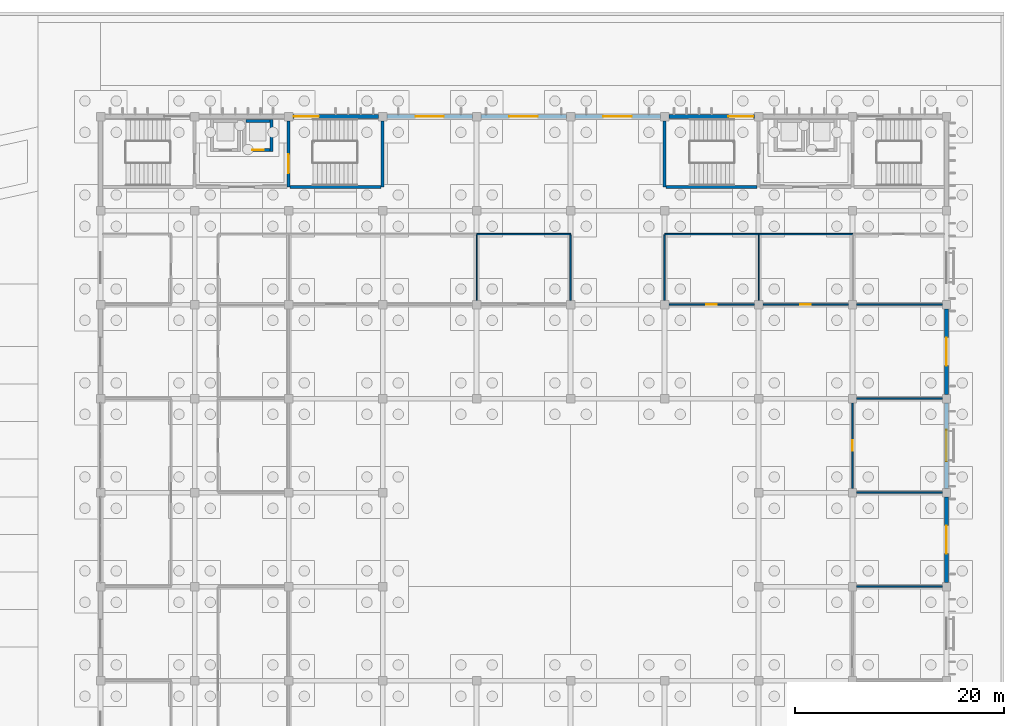
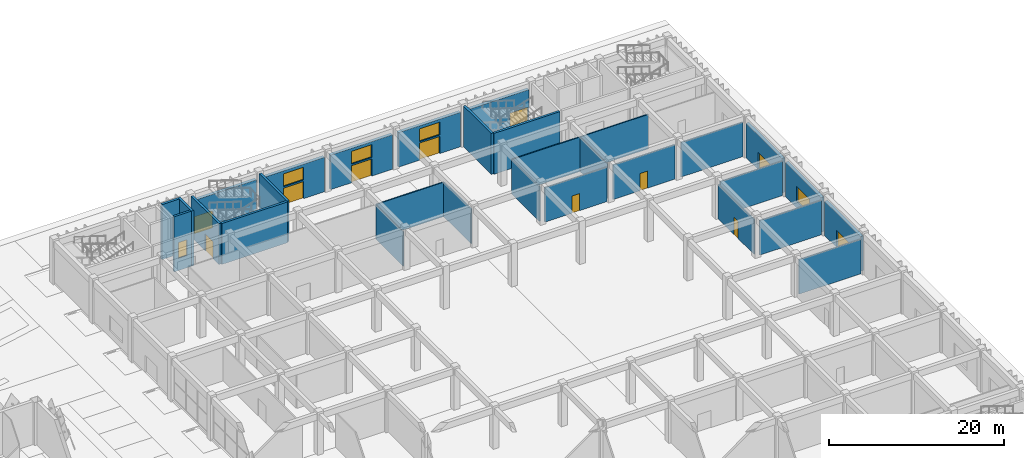
# One storey, part 106 of 198: 30 walls, 12 doors, 4 windows, 16 openings.
"""IFC4 building model written with IfcOpenShell, lengths in metres."""

from ifc_helpers import new_model, si_unit, direction, frame, frame_2d, origin, place, context, subcontext, project, spatial, rectangle, extrude, material, layer, layer_set, type_object, element, fill, save


model = new_model("IFC4")

# Units and contexts
model_context = context("Model", 3, precision=1e-05, world=origin(), true_north=direction((0.0, 1.0)))
body_context = subcontext(model_context, "Body", "Model", "MODEL_VIEW")
ifc_project = project(units=[si_unit("LENGTHUNIT", "METRE"), si_unit("AREAUNIT", "SQUARE_METRE"), si_unit("VOLUMEUNIT", "CUBIC_METRE"), si_unit("PLANEANGLEUNIT", "RADIAN"), si_unit("MASSUNIT", "GRAM", prefix="KILO")], contexts=[model_context])

# Site, building, storey
site_placement = place(None, origin())
site = spatial("IfcSite", under=ifc_project, at=site_placement, CompositionType="ELEMENT")
building_placement = place(site_placement, origin())
building = spatial("IfcBuilding", under=site, at=building_placement, Name="Opaline Strait Convention Centre", CompositionType="ELEMENT")
storey_placement = place(building_placement, origin())
storey = spatial("IfcBuildingStorey", under=building, at=storey_placement, Name="L00", CompositionType="ELEMENT", Elevation=0.0)

# Walls
ifc_material_1 = material(Name="Gypsum board")
ifc_layer_1 = layer(ifc_material_1, 0.032470703125)
ifc_material_2 = material(Name="Steel stud and mineral wool", Category="steel")
ifc_layer_2 = layer(ifc_material_2, 0.0849609375)
ifc_layer_3 = layer(ifc_material_1, 0.032470703125)
ifc_layer_set_1 = layer_set([ifc_layer_1, ifc_layer_2, ifc_layer_3], Name="Gypsum board, Steel stud and mineral wool, Gypsum board")
wall_type_1 = type_object("IfcWallType", Name="Corridor partition 150 EI60", PredefinedType="PARTITIONING", material=ifc_layer_set_1)
wall_1_placement = place(storey_placement, frame((315.0, 168.75, 0.0), z_axis=(0.0, 0.0, 1.0), x_axis=(1.0, 0.0, 0.0)))
element("IfcWall", 1, at=wall_1_placement, inside=storey, type_object=wall_type_1, Name="MPW1 partition Nursing Room 0.20 N", PredefinedType="PARTITIONING", context=body_context, shape_type="SweptSolid", body=[
    extrude(rectangle(XDim=9.0, YDim=0.14990234375, at=frame_2d((4.5, 0.0))), origin(), (0.0, 0.0, 1.0), 4.820068359375),
])
wall_2_placement = place(storey_placement, frame((324.0, 162.39990234375, 0.0), z_axis=(0.0, 0.0, 1.0), x_axis=(0.0, 1.0, 0.0)))
element("IfcWall", 2, at=wall_2_placement, inside=storey, type_object=wall_type_1, Name="MPW1 partition Nursing Room 0.20 E", PredefinedType="PARTITIONING", context=body_context, shape_type="SweptSolid", body=[
    extrude(rectangle(XDim=6.275146484375, YDim=0.14990234375, at=frame_2d((3.1376953125, 0.0))), origin(), (0.0, 0.0, 1.0), 4.820068359375),
])

# Wall, opening, door
wall_3_placement = place(storey_placement, frame((333.39990234375, 162.0, 0.0), z_axis=(0.0, 0.0, 1.0), x_axis=(1.0, 0.0, 0.0)))
wall_3 = element("IfcWall", 3, at=wall_3_placement, inside=storey, type_object=wall_type_1, Name="MPW1 partition Press Room 0.21 S", PredefinedType="PARTITIONING", context=body_context, shape_type="SweptSolid", body=[
    extrude(rectangle(XDim=8.2001953125, YDim=0.14990234375, at=frame_2d((4.10009765625, 0.0))), origin(), (0.0, 0.0, 1.0), 4.820068359375),
])
opening_1_placement = place(wall_3_placement, frame((3.60009765625, 0.0, 0.0)))
opening_1 = element("IfcOpeningElement", 4, at=opening_1_placement, cuts=wall_3, Name="Opening M0-055", PredefinedType="OPENING", context=body_context, shape_type="SweptSolid", body=[
    extrude(rectangle(XDim=1.0, YDim=2.39990234375, at=frame_2d((0.5, 1.199951171875))), frame((0.0, 0.0849609375, 0.0), z_axis=(0.0, -1.0, 0.0), x_axis=(1.0, 0.0, 0.0)), (0.0, 0.0, 1.0), 0.169921875),
])
ifc_material_3 = material(Name="Solid-core timber leaf, steel frame door set", Category="steel")
door_type_1 = type_object("IfcDoorType", Name="Meeting room door FD30 1000 x 2400", OperationType="SINGLE_SWING_LEFT", PredefinedType="DOOR", material=ifc_material_3)
door_1_placement = place(opening_1_placement, frame((1.0, 0.0, 0.0), z_axis=(0.0, 0.0, 1.0), x_axis=(-1.0, 0.0, 0.0)))
door_1 = element("IfcDoor", 5, at=door_1_placement, inside=storey, type_object=door_type_1, Name="Door Press Room 0.21", ObjectType="MD8", OperationType="SINGLE_SWING_LEFT", OverallHeight=2.39990234375, OverallWidth=1.0, PredefinedType="DOOR", context=body_context, shape_type="SweptSolid", body=[
    extrude(rectangle(XDim=1.0, YDim=2.39990234375, at=frame_2d((0.5, 1.199951171875))), frame((0.0, 0.02490234375, 0.0), z_axis=(0.0, -1.0, 0.0), x_axis=(1.0, 0.0, 0.0)), (0.0, 0.0, 1.0), 0.050048828125),
])
fill(opening_1, door_1)

# Walls
wall_4_placement = place(storey_placement, frame((333.0, 168.75, 0.0), z_axis=(0.0, 0.0, 1.0), x_axis=(1.0, 0.0, 0.0)))
element("IfcWall", 6, at=wall_4_placement, inside=storey, type_object=wall_type_1, Name="MPW1 partition Press Room 0.21 N", PredefinedType="PARTITIONING", context=body_context, shape_type="SweptSolid", body=[
    extrude(rectangle(XDim=9.0, YDim=0.14990234375, at=frame_2d((4.5, 0.0))), origin(), (0.0, 0.0, 1.0), 4.820068359375),
])
wall_5_placement = place(storey_placement, frame((333.0, 162.39990234375, 0.0), z_axis=(0.0, 0.0, 1.0), x_axis=(0.0, 1.0, 0.0)))
element("IfcWall", 7, at=wall_5_placement, inside=storey, type_object=wall_type_1, Name="MPW1 partition Press Room 0.21 W", PredefinedType="PARTITIONING", context=body_context, shape_type="SweptSolid", body=[
    extrude(rectangle(XDim=6.275146484375, YDim=0.14990234375, at=frame_2d((3.1376953125, 0.0))), origin(), (0.0, 0.0, 1.0), 4.820068359375),
])

# Wall, opening, door
wall_6_placement = place(storey_placement, frame((342.39990234375, 162.0, 0.0), z_axis=(0.0, 0.0, 1.0), x_axis=(1.0, 0.0, 0.0)))
wall_6 = element("IfcWall", 8, at=wall_6_placement, inside=storey, type_object=wall_type_1, Name="MPW1 partition Meeting Room 0.22 S", PredefinedType="PARTITIONING", context=body_context, shape_type="SweptSolid", body=[
    extrude(rectangle(XDim=8.2001953125, YDim=0.14990234375, at=frame_2d((4.10009765625, 0.0))), origin(), (0.0, 0.0, 1.0), 4.820068359375),
])
opening_2_placement = place(wall_6_placement, frame((3.60009765625, 0.0, 0.0)))
opening_2 = element("IfcOpeningElement", 9, at=opening_2_placement, cuts=wall_6, Name="Opening M0-056", PredefinedType="OPENING", context=body_context, shape_type="SweptSolid", body=[
    extrude(rectangle(XDim=1.0, YDim=2.39990234375, at=frame_2d((0.5, 1.199951171875))), frame((0.0, 0.0849609375, 0.0), z_axis=(0.0, -1.0, 0.0), x_axis=(1.0, 0.0, 0.0)), (0.0, 0.0, 1.0), 0.169921875),
])
door_2_placement = place(opening_2_placement, frame((1.0, 0.0, 0.0), z_axis=(0.0, 0.0, 1.0), x_axis=(-1.0, 0.0, 0.0)))
door_2 = element("IfcDoor", 10, at=door_2_placement, inside=storey, type_object=door_type_1, Name="Door Meeting Room 0.22", ObjectType="MD8", OperationType="SINGLE_SWING_LEFT", OverallHeight=2.39990234375, OverallWidth=1.0, PredefinedType="DOOR", context=body_context, shape_type="SweptSolid", body=[
    extrude(rectangle(XDim=1.0, YDim=2.39990234375, at=frame_2d((0.5, 1.199951171875))), frame((0.0, 0.02490234375, 0.0), z_axis=(0.0, -1.0, 0.0), x_axis=(1.0, 0.0, 0.0)), (0.0, 0.0, 1.0), 0.050048828125),
])
fill(opening_2, door_2)

# Walls
wall_7_placement = place(storey_placement, frame((342.0, 168.75, 0.0), z_axis=(0.0, 0.0, 1.0), x_axis=(1.0, 0.0, 0.0)))
element("IfcWall", 11, at=wall_7_placement, inside=storey, type_object=wall_type_1, Name="MPW1 partition Meeting Room 0.22 N", PredefinedType="PARTITIONING", context=body_context, shape_type="SweptSolid", body=[
    extrude(rectangle(XDim=9.0, YDim=0.14990234375, at=frame_2d((4.5, 0.0))), origin(), (0.0, 0.0, 1.0), 4.820068359375),
])
for number, where, z_axis, x_axis, name in (
    (12, (351.39990234375, 135.0, 0.0), (0.0, 0.0, 1.0), (1.0, 0.0, 0.0), "MPW1 partition Press Room 0.24 N"),
    (13, (351.39990234375, 144.0, 0.0), (0.0, 0.0, 1.0), (1.0, 0.0, 0.0), "MPW1 partition Meeting Room 0.26 S"),
    (14, (351.39990234375, 153.0, 0.0), (0.0, 0.0, 1.0), (1.0, 0.0, 0.0), "MPW1 partition Meeting Room 0.26 N"),
):
    element("IfcWall", number, at=place(storey_placement, frame(where, z_axis=z_axis, x_axis=x_axis)), inside=storey, type_object=wall_type_1, Name=name, PredefinedType="PARTITIONING", context=body_context, shape_type="SweptSolid", body=[
        extrude(rectangle(XDim=8.2001953125, YDim=0.14990234375, at=frame_2d((4.10009765625, 0.0))), origin(), (0.0, 0.0, 1.0), 4.820068359375),
    ])

# Wall, opening, door
wall_8_placement = place(storey_placement, frame((351.0, 144.39990234375, 0.0), z_axis=(0.0, 0.0, 1.0), x_axis=(0.0, 1.0, 0.0)))
wall_8 = element("IfcWall", 15, at=wall_8_placement, inside=storey, type_object=wall_type_1, Name="MPW1 partition Meeting Room 0.26 W", PredefinedType="PARTITIONING", context=body_context, shape_type="SweptSolid", body=[
    extrude(rectangle(XDim=8.2001953125, YDim=0.14990234375, at=frame_2d((4.10009765625, 0.0))), origin(), (0.0, 0.0, 1.0), 4.820068359375),
])
opening_3_placement = place(wall_8_placement, frame((3.60009765625, 0.0, 0.0)))
opening_3 = element("IfcOpeningElement", 16, at=opening_3_placement, cuts=wall_8, Name="Opening M0-058", PredefinedType="OPENING", context=body_context, shape_type="SweptSolid", body=[
    extrude(rectangle(XDim=1.0, YDim=2.39990234375, at=frame_2d((0.5, 1.199951171875))), frame((0.0, 0.0849609375, 0.0), z_axis=(0.0, -1.0, 0.0), x_axis=(1.0, 0.0, 0.0)), (0.0, 0.0, 1.0), 0.169921875),
])
door_3_placement = place(opening_3_placement, origin())
door_3 = element("IfcDoor", 17, at=door_3_placement, inside=storey, type_object=door_type_1, Name="Door Meeting Room 0.26", ObjectType="MD8", OperationType="SINGLE_SWING_LEFT", OverallHeight=2.39990234375, OverallWidth=1.0, PredefinedType="DOOR", context=body_context, shape_type="SweptSolid", body=[
    extrude(rectangle(XDim=1.0, YDim=2.39990234375, at=frame_2d((0.5, 1.199951171875))), frame((0.0, 0.02490234375, 0.0), z_axis=(0.0, -1.0, 0.0), x_axis=(1.0, 0.0, 0.0)), (0.0, 0.0, 1.0), 0.050048828125),
])
fill(opening_3, door_3)

# Wall
wall_9_placement = place(storey_placement, frame((351.39990234375, 162.0, 0.0), z_axis=(0.0, 0.0, 1.0), x_axis=(1.0, 0.0, 0.0)))
element("IfcWall", 18, at=wall_9_placement, inside=storey, type_object=wall_type_1, Name="MPW1 partition Information Desk 0.29 S", PredefinedType="PARTITIONING", context=body_context, shape_type="SweptSolid", body=[
    extrude(rectangle(XDim=8.2001953125, YDim=0.14990234375, at=frame_2d((4.10009765625, 0.0))), origin(), (0.0, 0.0, 1.0), 4.820068359375),
])

# Wall, opening, door
ifc_material_4 = material(Name="Concrete C40 precast", Category="concrete")
ifc_layer_4 = layer(ifc_material_4, 0.10009765625)
ifc_material_5 = material(Name="Mineral wool insulation")
ifc_layer_5 = layer(ifc_material_5, 0.14990234375)
ifc_layer_6 = layer(ifc_material_4, 0.14990234375)
ifc_layer_set_2 = layer_set([ifc_layer_4, ifc_layer_5, ifc_layer_6], Name="Concrete C40 precast, Mineral wool insulation, Concrete C40 precast")
wall_type_2 = type_object("IfcWallType", Name="External wall 400 insulated precast EI60", PredefinedType="STANDARD", material=ifc_layer_set_2)
wall_10_placement = place(storey_placement, frame((297.39990234375, 180.0, 0.0), z_axis=(0.0, 0.0, 1.0), x_axis=(1.0, 0.0, 0.0)))
wall_10 = element("IfcWall", 19, at=wall_10_placement, inside=storey, type_object=wall_type_2, Name="External wall N L00 34/W", PredefinedType="STANDARD", context=body_context, shape_type="SweptSolid", body=[
    extrude(rectangle(XDim=8.2001953125, YDim=0.39990234375, at=frame_2d((4.10009765625, 0.0))), origin(), (0.0, 0.0, 1.0), 4.820068359375),
])
opening_4_placement = place(wall_10_placement, frame((0.10009765625, 0.0, 0.0)))
opening_4 = element("IfcOpeningElement", 20, at=opening_4_placement, cuts=wall_10, Name="Opening M0-006", PredefinedType="OPENING", context=body_context, shape_type="SweptSolid", body=[
    extrude(rectangle(XDim=2.39990234375, YDim=2.39990234375, at=frame_2d((1.199951171875, 1.199951171875))), frame((0.0, 0.2099609375, 0.0), z_axis=(0.0, -1.0, 0.0), x_axis=(1.0, 0.0, 0.0)), (0.0, 0.0, 1.0), 0.419921875),
])
ifc_material_6 = material(Name="Aluminium framed glazed door", Category="aluminium")
door_type_2 = type_object("IfcDoorType", Name="Exit double door glazed 2400 x 2400", OperationType="DOUBLE_DOOR_SINGLE_SWING", PredefinedType="DOOR", material=ifc_material_6)
door_4_placement = place(opening_4_placement, origin())
door_4 = element("IfcDoor", 21, at=door_4_placement, inside=storey, type_object=door_type_2, Name="Stair exit door Escape Stair S6", ObjectType="MD1", OperationType="DOUBLE_DOOR_SINGLE_SWING", OverallHeight=2.39990234375, OverallWidth=2.39990234375, PredefinedType="DOOR", context=body_context, shape_type="SweptSolid", body=[
    extrude(rectangle(XDim=2.39990234375, YDim=2.39990234375, at=frame_2d((1.199951171875, 1.199951171875))), frame((0.0, 0.02490234375, 0.0), z_axis=(0.0, -1.0, 0.0), x_axis=(1.0, 0.0, 0.0)), (0.0, 0.0, 1.0), 0.050048828125),
])
fill(opening_4, door_4)

# Wall, openings, door, window
wall_11_placement = place(storey_placement, frame((306.39990234375, 180.0, 0.0), z_axis=(0.0, 0.0, 1.0), x_axis=(1.0, 0.0, 0.0)))
wall_11 = element("IfcWall", 22, at=wall_11_placement, inside=storey, type_object=wall_type_2, Name="External wall N L00 35/W", PredefinedType="STANDARD", context=body_context, shape_type="SweptSolid", body=[
    extrude(rectangle(XDim=8.2001953125, YDim=0.39990234375, at=frame_2d((4.10009765625, 0.0))), origin(), (0.0, 0.0, 1.0), 4.820068359375),
])
opening_5_placement = place(wall_11_placement, frame((2.75, 0.0, 0.0)))
opening_5 = element("IfcOpeningElement", 23, at=opening_5_placement, cuts=wall_11, Name="Opening M0-007", PredefinedType="OPENING", context=body_context, shape_type="SweptSolid", body=[
    extrude(rectangle(XDim=2.699951171875, YDim=2.39990234375, at=frame_2d((1.35009765625, 1.199951171875))), frame((0.0, 0.2099609375, 0.0), z_axis=(0.0, -1.0, 0.0), x_axis=(1.0, 0.0, 0.0)), (0.0, 0.0, 1.0), 0.419921875),
])
opening_6_placement = place(wall_11_placement, frame((2.75, 0.0, 2.60009765625)))
opening_6 = element("IfcOpeningElement", 24, at=opening_6_placement, cuts=wall_11, Name="Opening MW3", PredefinedType="OPENING", context=body_context, shape_type="SweptSolid", body=[
    extrude(rectangle(XDim=2.699951171875, YDim=1.800048828125, at=frame_2d((1.35009765625, 0.89990234375))), frame((0.0, 0.2099609375, 0.0), z_axis=(0.0, -1.0, 0.0), x_axis=(1.0, 0.0, 0.0)), (0.0, 0.0, 1.0), 0.419921875),
])
door_type_3 = type_object("IfcDoorType", Name="Exit double door 2700 x 2400", OperationType="DOUBLE_DOOR_SINGLE_SWING", PredefinedType="DOOR", material=ifc_material_6)
door_5_placement = place(opening_5_placement, origin())
door_5 = element("IfcDoor", 25, at=door_5_placement, inside=storey, type_object=door_type_3, Name="Exit door Entrance Lobby", ObjectType="MD2", OperationType="DOUBLE_DOOR_SINGLE_SWING", OverallHeight=2.39990234375, OverallWidth=2.699951171875, PredefinedType="DOOR", context=body_context, shape_type="SweptSolid", body=[
    extrude(rectangle(XDim=2.699951171875, YDim=2.39990234375, at=frame_2d((1.35009765625, 1.199951171875))), frame((0.0, 0.02490234375, 0.0), z_axis=(0.0, -1.0, 0.0), x_axis=(1.0, 0.0, 0.0)), (0.0, 0.0, 1.0), 0.050048828125),
])
fill(opening_5, door_5)
ifc_material_7 = material(Name="Aluminium framed double glazing", Category="aluminium")
window_type_1 = type_object("IfcWindowType", Name="Window 2700 x 1800", PartitioningType="TRIPLE_PANEL_VERTICAL", PredefinedType="WINDOW", material=ifc_material_7)
window_1_placement = place(opening_6_placement, origin())
window_1 = element("IfcWindow", 26, at=window_1_placement, inside=storey, type_object=window_type_1, Name="Entrance fanlight", OverallHeight=1.800048828125, OverallWidth=2.699951171875, PartitioningType="TRIPLE_PANEL_VERTICAL", PredefinedType="WINDOW", context=body_context, shape_type="SweptSolid", body=[
    extrude(rectangle(XDim=2.699951171875, YDim=1.800048828125, at=frame_2d((1.35009765625, 0.89990234375))), frame((0.0, 0.030029296875, 0.0), z_axis=(0.0, -1.0, 0.0), x_axis=(1.0, 0.0, 0.0)), (0.0, 0.0, 1.0), 0.06005859375),
])
fill(opening_6, window_1)

wall_12_placement = place(storey_placement, frame((315.39990234375, 180.0, 0.0), z_axis=(0.0, 0.0, 1.0), x_axis=(1.0, 0.0, 0.0)))
wall_12 = element("IfcWall", 27, at=wall_12_placement, inside=storey, type_object=wall_type_2, Name="External wall N L00 36/W", PredefinedType="STANDARD", context=body_context, shape_type="SweptSolid", body=[
    extrude(rectangle(XDim=8.2001953125, YDim=0.39990234375, at=frame_2d((4.10009765625, 0.0))), origin(), (0.0, 0.0, 1.0), 4.820068359375),
])
opening_7_placement = place(wall_12_placement, frame((2.75, 0.0, 0.0)))
opening_7 = element("IfcOpeningElement", 28, at=opening_7_placement, cuts=wall_12, Name="Opening M0-008", PredefinedType="OPENING", context=body_context, shape_type="SweptSolid", body=[
    extrude(rectangle(XDim=2.699951171875, YDim=2.39990234375, at=frame_2d((1.35009765625, 1.199951171875))), frame((0.0, 0.2099609375, 0.0), z_axis=(0.0, -1.0, 0.0), x_axis=(1.0, 0.0, 0.0)), (0.0, 0.0, 1.0), 0.419921875),
])
opening_8_placement = place(wall_12_placement, frame((2.75, 0.0, 2.60009765625)))
opening_8 = element("IfcOpeningElement", 29, at=opening_8_placement, cuts=wall_12, Name="Opening MW3", PredefinedType="OPENING", context=body_context, shape_type="SweptSolid", body=[
    extrude(rectangle(XDim=2.699951171875, YDim=1.800048828125, at=frame_2d((1.35009765625, 0.89990234375))), frame((0.0, 0.2099609375, 0.0), z_axis=(0.0, -1.0, 0.0), x_axis=(1.0, 0.0, 0.0)), (0.0, 0.0, 1.0), 0.419921875),
])
door_6_placement = place(opening_7_placement, origin())
door_6 = element("IfcDoor", 30, at=door_6_placement, inside=storey, type_object=door_type_3, Name="Exit door Entrance Lobby", ObjectType="MD2", OperationType="DOUBLE_DOOR_SINGLE_SWING", OverallHeight=2.39990234375, OverallWidth=2.699951171875, PredefinedType="DOOR", context=body_context, shape_type="SweptSolid", body=[
    extrude(rectangle(XDim=2.699951171875, YDim=2.39990234375, at=frame_2d((1.35009765625, 1.199951171875))), frame((0.0, 0.02490234375, 0.0), z_axis=(0.0, -1.0, 0.0), x_axis=(1.0, 0.0, 0.0)), (0.0, 0.0, 1.0), 0.050048828125),
])
fill(opening_7, door_6)
window_2_placement = place(opening_8_placement, origin())
window_2 = element("IfcWindow", 31, at=window_2_placement, inside=storey, type_object=window_type_1, Name="Entrance fanlight", OverallHeight=1.800048828125, OverallWidth=2.699951171875, PartitioningType="TRIPLE_PANEL_VERTICAL", PredefinedType="WINDOW", context=body_context, shape_type="SweptSolid", body=[
    extrude(rectangle(XDim=2.699951171875, YDim=1.800048828125, at=frame_2d((1.35009765625, 0.89990234375))), frame((0.0, 0.030029296875, 0.0), z_axis=(0.0, -1.0, 0.0), x_axis=(1.0, 0.0, 0.0)), (0.0, 0.0, 1.0), 0.06005859375),
])
fill(opening_8, window_2)

wall_13_placement = place(storey_placement, frame((324.39990234375, 180.0, 0.0), z_axis=(0.0, 0.0, 1.0), x_axis=(1.0, 0.0, 0.0)))
wall_13 = element("IfcWall", 32, at=wall_13_placement, inside=storey, type_object=wall_type_2, Name="External wall N L00 37/W", PredefinedType="STANDARD", context=body_context, shape_type="SweptSolid", body=[
    extrude(rectangle(XDim=8.2001953125, YDim=0.39990234375, at=frame_2d((4.10009765625, 0.0))), origin(), (0.0, 0.0, 1.0), 4.820068359375),
])
opening_9_placement = place(wall_13_placement, frame((2.75, 0.0, 0.0)))
opening_9 = element("IfcOpeningElement", 33, at=opening_9_placement, cuts=wall_13, Name="Opening M0-009", PredefinedType="OPENING", context=body_context, shape_type="SweptSolid", body=[
    extrude(rectangle(XDim=2.699951171875, YDim=2.39990234375, at=frame_2d((1.35009765625, 1.199951171875))), frame((0.0, 0.2099609375, 0.0), z_axis=(0.0, -1.0, 0.0), x_axis=(1.0, 0.0, 0.0)), (0.0, 0.0, 1.0), 0.419921875),
])
opening_10_placement = place(wall_13_placement, frame((2.75, 0.0, 2.60009765625)))
opening_10 = element("IfcOpeningElement", 34, at=opening_10_placement, cuts=wall_13, Name="Opening MW3", PredefinedType="OPENING", context=body_context, shape_type="SweptSolid", body=[
    extrude(rectangle(XDim=2.699951171875, YDim=1.800048828125, at=frame_2d((1.35009765625, 0.89990234375))), frame((0.0, 0.2099609375, 0.0), z_axis=(0.0, -1.0, 0.0), x_axis=(1.0, 0.0, 0.0)), (0.0, 0.0, 1.0), 0.419921875),
])
door_7_placement = place(opening_9_placement, origin())
door_7 = element("IfcDoor", 35, at=door_7_placement, inside=storey, type_object=door_type_3, Name="Exit door Entrance Lobby", ObjectType="MD2", OperationType="DOUBLE_DOOR_SINGLE_SWING", OverallHeight=2.39990234375, OverallWidth=2.699951171875, PredefinedType="DOOR", context=body_context, shape_type="SweptSolid", body=[
    extrude(rectangle(XDim=2.699951171875, YDim=2.39990234375, at=frame_2d((1.35009765625, 1.199951171875))), frame((0.0, 0.02490234375, 0.0), z_axis=(0.0, -1.0, 0.0), x_axis=(1.0, 0.0, 0.0)), (0.0, 0.0, 1.0), 0.050048828125),
])
fill(opening_9, door_7)
window_3_placement = place(opening_10_placement, origin())
window_3 = element("IfcWindow", 36, at=window_3_placement, inside=storey, type_object=window_type_1, Name="Entrance fanlight", OverallHeight=1.800048828125, OverallWidth=2.699951171875, PartitioningType="TRIPLE_PANEL_VERTICAL", PredefinedType="WINDOW", context=body_context, shape_type="SweptSolid", body=[
    extrude(rectangle(XDim=2.699951171875, YDim=1.800048828125, at=frame_2d((1.35009765625, 0.89990234375))), frame((0.0, 0.030029296875, 0.0), z_axis=(0.0, -1.0, 0.0), x_axis=(1.0, 0.0, 0.0)), (0.0, 0.0, 1.0), 0.06005859375),
])
fill(opening_10, window_3)

# Wall, opening, door
wall_14_placement = place(storey_placement, frame((333.39990234375, 180.0, 0.0), z_axis=(0.0, 0.0, 1.0), x_axis=(1.0, 0.0, 0.0)))
wall_14 = element("IfcWall", 37, at=wall_14_placement, inside=storey, type_object=wall_type_2, Name="External wall N L00 38/W", PredefinedType="STANDARD", context=body_context, shape_type="SweptSolid", body=[
    extrude(rectangle(XDim=8.2001953125, YDim=0.39990234375, at=frame_2d((4.10009765625, 0.0))), origin(), (0.0, 0.0, 1.0), 4.820068359375),
])
opening_11_placement = place(wall_14_placement, frame((5.7001953125, 0.0, 0.0)))
opening_11 = element("IfcOpeningElement", 38, at=opening_11_placement, cuts=wall_14, Name="Opening M0-010", PredefinedType="OPENING", context=body_context, shape_type="SweptSolid", body=[
    extrude(rectangle(XDim=2.39990234375, YDim=2.39990234375, at=frame_2d((1.199951171875, 1.199951171875))), frame((0.0, 0.2099609375, 0.0), z_axis=(0.0, -1.0, 0.0), x_axis=(1.0, 0.0, 0.0)), (0.0, 0.0, 1.0), 0.419921875),
])
door_8_placement = place(opening_11_placement, origin())
door_8 = element("IfcDoor", 39, at=door_8_placement, inside=storey, type_object=door_type_2, Name="Stair exit door Escape Stair S8", ObjectType="MD1", OperationType="DOUBLE_DOOR_SINGLE_SWING", OverallHeight=2.39990234375, OverallWidth=2.39990234375, PredefinedType="DOOR", context=body_context, shape_type="SweptSolid", body=[
    extrude(rectangle(XDim=2.39990234375, YDim=2.39990234375, at=frame_2d((1.199951171875, 1.199951171875))), frame((0.0, 0.02490234375, 0.0), z_axis=(0.0, -1.0, 0.0), x_axis=(1.0, 0.0, 0.0)), (0.0, 0.0, 1.0), 0.050048828125),
])
fill(opening_11, door_8)

wall_15_placement = place(storey_placement, frame((360.0, 135.39990234375, 0.0), z_axis=(0.0, 0.0, 1.0), x_axis=(0.0, 1.0, 0.0)))
wall_15 = element("IfcWall", 40, at=wall_15_placement, inside=storey, type_object=wall_type_2, Name="External wall E L00 41/R", PredefinedType="STANDARD", context=body_context, shape_type="SweptSolid", body=[
    extrude(rectangle(XDim=8.2001953125, YDim=0.39990234375, at=frame_2d((4.10009765625, 0.0))), origin(), (0.0, 0.0, 1.0), 4.820068359375),
])
opening_12_placement = place(wall_15_placement, frame((2.75, 0.0, 0.0)))
opening_12 = element("IfcOpeningElement", 41, at=opening_12_placement, cuts=wall_15, Name="Opening M0-016", PredefinedType="OPENING", context=body_context, shape_type="SweptSolid", body=[
    extrude(rectangle(XDim=2.699951171875, YDim=2.39990234375, at=frame_2d((1.35009765625, 1.199951171875))), frame((0.0, 0.2099609375, 0.0), z_axis=(0.0, -1.0, 0.0), x_axis=(1.0, 0.0, 0.0)), (0.0, 0.0, 1.0), 0.419921875),
])
ifc_material_8 = material(Name="Fire-resisting glazed aluminium door", Category="aluminium")
door_type_4 = type_object("IfcDoorType", Name="Exit double door FD60 2700 x 2400", OperationType="DOUBLE_DOOR_SINGLE_SWING", PredefinedType="DOOR", material=ifc_material_8)
door_9_placement = place(opening_12_placement, frame((2.699951171875, 0.0, 0.0), z_axis=(0.0, 0.0, 1.0), x_axis=(-1.0, 0.0, 0.0)))
door_9 = element("IfcDoor", 42, at=door_9_placement, inside=storey, type_object=door_type_4, Name="Exit door Exit Lobby 0.25", ObjectType="MD3", OperationType="DOUBLE_DOOR_SINGLE_SWING", OverallHeight=2.39990234375, OverallWidth=2.699951171875, PredefinedType="DOOR", context=body_context, shape_type="SweptSolid", body=[
    extrude(rectangle(XDim=2.699951171875, YDim=2.39990234375, at=frame_2d((1.35009765625, 1.199951171875))), frame((0.0, 0.02490234375, 0.0), z_axis=(0.0, -1.0, 0.0), x_axis=(1.0, 0.0, 0.0)), (0.0, 0.0, 1.0), 0.050048828125),
])
fill(opening_12, door_9)

# Wall, opening, window
wall_16_placement = place(storey_placement, frame((360.0, 144.39990234375, 0.0), z_axis=(0.0, 0.0, 1.0), x_axis=(0.0, 1.0, 0.0)))
wall_16 = element("IfcWall", 43, at=wall_16_placement, inside=storey, type_object=wall_type_2, Name="External wall E L00 41/S", PredefinedType="STANDARD", context=body_context, shape_type="SweptSolid", body=[
    extrude(rectangle(XDim=8.2001953125, YDim=0.39990234375, at=frame_2d((4.10009765625, 0.0))), origin(), (0.0, 0.0, 1.0), 4.820068359375),
])
opening_13_placement = place(wall_16_placement, frame((2.60009765625, 0.0, 0.89990234375)))
opening_13 = element("IfcOpeningElement", 44, at=opening_13_placement, cuts=wall_16, Name="Opening MW2", PredefinedType="OPENING", context=body_context, shape_type="SweptSolid", body=[
    extrude(rectangle(XDim=3.0, YDim=2.10009765625, at=frame_2d((1.5, 1.050048828125))), frame((0.0, 0.2099609375, 0.0), z_axis=(0.0, -1.0, 0.0), x_axis=(1.0, 0.0, 0.0)), (0.0, 0.0, 1.0), 0.419921875),
])
window_type_2 = type_object("IfcWindowType", Name="Window 3000 x 2100", PartitioningType="TRIPLE_PANEL_VERTICAL", PredefinedType="WINDOW", material=ifc_material_7)
window_4_placement = place(opening_13_placement, origin())
window_4 = element("IfcWindow", 45, at=window_4_placement, inside=storey, type_object=window_type_2, Name="Window Meeting Room 0.26 E", OverallHeight=2.10009765625, OverallWidth=3.0, PartitioningType="TRIPLE_PANEL_VERTICAL", PredefinedType="WINDOW", context=body_context, shape_type="SweptSolid", body=[
    extrude(rectangle(XDim=3.0, YDim=2.10009765625, at=frame_2d((1.5, 1.050048828125))), frame((0.0, 0.030029296875, 0.0), z_axis=(0.0, -1.0, 0.0), x_axis=(1.0, 0.0, 0.0)), (0.0, 0.0, 1.0), 0.06005859375),
])
fill(opening_13, window_4)

# Wall, opening, door
wall_17_placement = place(storey_placement, frame((360.0, 153.39990234375, 0.0), z_axis=(0.0, 0.0, 1.0), x_axis=(0.0, 1.0, 0.0)))
wall_17 = element("IfcWall", 46, at=wall_17_placement, inside=storey, type_object=wall_type_2, Name="External wall E L00 41/T", PredefinedType="STANDARD", context=body_context, shape_type="SweptSolid", body=[
    extrude(rectangle(XDim=8.2001953125, YDim=0.39990234375, at=frame_2d((4.10009765625, 0.0))), origin(), (0.0, 0.0, 1.0), 4.820068359375),
])
opening_14_placement = place(wall_17_placement, frame((2.75, 0.0, 0.0)))
opening_14 = element("IfcOpeningElement", 47, at=opening_14_placement, cuts=wall_17, Name="Opening M0-017", PredefinedType="OPENING", context=body_context, shape_type="SweptSolid", body=[
    extrude(rectangle(XDim=2.699951171875, YDim=2.39990234375, at=frame_2d((1.35009765625, 1.199951171875))), frame((0.0, 0.2099609375, 0.0), z_axis=(0.0, -1.0, 0.0), x_axis=(1.0, 0.0, 0.0)), (0.0, 0.0, 1.0), 0.419921875),
])
door_10_placement = place(opening_14_placement, frame((2.699951171875, 0.0, 0.0), z_axis=(0.0, 0.0, 1.0), x_axis=(-1.0, 0.0, 0.0)))
door_10 = element("IfcDoor", 48, at=door_10_placement, inside=storey, type_object=door_type_4, Name="Exit door Exit Lobby 0.27", ObjectType="MD3", OperationType="DOUBLE_DOOR_SINGLE_SWING", OverallHeight=2.39990234375, OverallWidth=2.699951171875, PredefinedType="DOOR", context=body_context, shape_type="SweptSolid", body=[
    extrude(rectangle(XDim=2.699951171875, YDim=2.39990234375, at=frame_2d((1.35009765625, 1.199951171875))), frame((0.0, 0.02490234375, 0.0), z_axis=(0.0, -1.0, 0.0), x_axis=(1.0, 0.0, 0.0)), (0.0, 0.0, 1.0), 0.050048828125),
])
fill(opening_14, door_10)

ifc_material_9 = material(Name="Concrete C40", Category="concrete")
ifc_layer_7 = layer(ifc_material_9, 0.300048828125)
ifc_layer_set_3 = layer_set([ifc_layer_7], Name="Concrete C40")
wall_type_3 = type_object("IfcWallType", Name="RC core wall 300 C40", PredefinedType="SHEAR", material=ifc_layer_set_3)
wall_18_placement = place(storey_placement, frame((297.0, 173.25, 0.0), z_axis=(0.0, 0.0, 1.0), x_axis=(0.0, 1.0, 0.0)))
wall_18 = element("IfcWall", 49, at=wall_18_placement, inside=storey, type_object=wall_type_3, Name="Core wall NW-L00", PredefinedType="SHEAR", context=body_context, shape_type="SweptSolid", body=[
    extrude(rectangle(XDim=6.35009765625, YDim=0.300048828125, at=frame_2d((3.175048828125, 0.0))), origin(), (0.0, 0.0, 1.0), 5.719970703125),
])
opening_15_placement = place(wall_18_placement, frame((1.35009765625, 0.0, 0.0)))
opening_15 = element("IfcOpeningElement", 50, at=opening_15_placement, cuts=wall_18, Name="Opening M0-029", PredefinedType="OPENING", context=body_context, shape_type="SweptSolid", body=[
    extrude(rectangle(XDim=1.800048828125, YDim=2.39990234375, at=frame_2d((0.89990234375, 1.199951171875))), frame((0.0, 0.159912109375, 0.0), z_axis=(0.0, -1.0, 0.0), x_axis=(1.0, 0.0, 0.0)), (0.0, 0.0, 1.0), 0.320068359375),
])
ifc_material_10 = material(Name="Steel Q235B", Category="steel")
door_type_5 = type_object("IfcDoorType", Name="Stair door FD60 1800 x 2400", OperationType="DOUBLE_DOOR_SINGLE_SWING", PredefinedType="DOOR", material=ifc_material_10)
door_11_placement = place(opening_15_placement, origin())
door_11 = element("IfcDoor", 51, at=door_11_placement, inside=storey, type_object=door_type_5, Name="Escape stair S6 door L00", ObjectType="MD4", OperationType="DOUBLE_DOOR_SINGLE_SWING", OverallHeight=2.39990234375, OverallWidth=1.800048828125, PredefinedType="DOOR", context=body_context, shape_type="SweptSolid", body=[
    extrude(rectangle(XDim=1.800048828125, YDim=2.39990234375, at=frame_2d((0.89990234375, 1.199951171875))), frame((0.0, 0.02490234375, 0.0), z_axis=(0.0, -1.0, 0.0), x_axis=(1.0, 0.0, 0.0)), (0.0, 0.0, 1.0), 0.050048828125),
])
fill(opening_15, door_11)

# Walls
wall_19_placement = place(storey_placement, frame((306.0, 173.25, 0.0), z_axis=(0.0, 0.0, 1.0), x_axis=(0.0, 1.0, 0.0)))
element("IfcWall", 52, at=wall_19_placement, inside=storey, type_object=wall_type_3, Name="Core wall NW-L00", PredefinedType="SHEAR", context=body_context, shape_type="SweptSolid", body=[
    extrude(rectangle(XDim=6.35009765625, YDim=0.300048828125, at=frame_2d((3.175048828125, 0.0))), origin(), (0.0, 0.0, 1.0), 5.719970703125),
])
wall_20_placement = place(storey_placement, frame((297.14990234375, 173.25, 0.0), z_axis=(0.0, 0.0, 1.0), x_axis=(1.0, 0.0, 0.0)))
element("IfcWall", 53, at=wall_20_placement, inside=storey, type_object=wall_type_3, Name="Core wall NW-L00", PredefinedType="SHEAR", context=body_context, shape_type="SweptSolid", body=[
    extrude(rectangle(XDim=8.7001953125, YDim=0.300048828125, at=frame_2d((4.35009765625, 0.0))), origin(), (0.0, 0.0, 1.0), 5.719970703125),
])
wall_21_placement = place(storey_placement, frame((333.0, 173.25, 0.0), z_axis=(0.0, 0.0, 1.0), x_axis=(0.0, 1.0, 0.0)))
element("IfcWall", 54, at=wall_21_placement, inside=storey, type_object=wall_type_3, Name="Core wall NE-L00", PredefinedType="SHEAR", context=body_context, shape_type="SweptSolid", body=[
    extrude(rectangle(XDim=6.35009765625, YDim=0.300048828125, at=frame_2d((3.175048828125, 0.0))), origin(), (0.0, 0.0, 1.0), 5.719970703125),
])
wall_22_placement = place(storey_placement, frame((333.14990234375, 173.25, 0.0), z_axis=(0.0, 0.0, 1.0), x_axis=(1.0, 0.0, 0.0)))
element("IfcWall", 55, at=wall_22_placement, inside=storey, type_object=wall_type_3, Name="Core wall NE-L00", PredefinedType="SHEAR", context=body_context, shape_type="SweptSolid", body=[
    extrude(rectangle(XDim=8.7001953125, YDim=0.300048828125, at=frame_2d((4.35009765625, 0.0))), origin(), (0.0, 0.0, 1.0), 5.719970703125),
])
ifc_layer_8 = layer(ifc_material_9, 0.300048828125)
ifc_layer_set_4 = layer_set([ifc_layer_8], Name="Concrete C40")
wall_type_4 = type_object("IfcWallType", Name="RC lift shaft wall 300 C40", PredefinedType="SHEAR", material=ifc_layer_set_4)
wall_23_placement = place(storey_placement, frame((295.35009765625, 176.64990234375, -1.699951171875), z_axis=(0.0, 0.0, 1.0), x_axis=(0.0, 1.0, 0.0)))
element("IfcWall", 56, at=wall_23_placement, inside=storey, type_object=wall_type_4, Name="Lift shaft NW2 wall L00", PredefinedType="SHEAR", context=body_context, shape_type="SweptSolid", body=[
    extrude(rectangle(XDim=3.10009765625, YDim=0.300048828125, at=frame_2d((1.550048828125, 0.0))), origin(), (0.0, 0.0, 1.0), 7.699951171875),
])
wall_24_placement = place(storey_placement, frame((292.89990234375, 179.60009765625, -1.699951171875), z_axis=(0.0, 0.0, 1.0), x_axis=(1.0, 0.0, 0.0)))
element("IfcWall", 57, at=wall_24_placement, inside=storey, type_object=wall_type_4, Name="Lift shaft NW2 wall L00", PredefinedType="SHEAR", context=body_context, shape_type="SweptSolid", body=[
    extrude(rectangle(XDim=2.300048828125, YDim=0.300048828125, at=frame_2d((1.14990234375, 0.0))), origin(), (0.0, 0.0, 1.0), 7.699951171875),
])

# Wall, opening, door
wall_25_placement = place(storey_placement, frame((292.89990234375, 176.800048828125, -1.699951171875), z_axis=(0.0, 0.0, 1.0), x_axis=(1.0, 0.0, 0.0)))
wall_25 = element("IfcWall", 58, at=wall_25_placement, inside=storey, type_object=wall_type_4, Name="Lift shaft NW2 wall L00", PredefinedType="SHEAR", context=body_context, shape_type="SweptSolid", body=[
    extrude(rectangle(XDim=2.300048828125, YDim=0.300048828125, at=frame_2d((1.14990234375, 0.0))), origin(), (0.0, 0.0, 1.0), 7.699951171875),
])
opening_16_placement = place(wall_25_placement, frame((0.60009765625, 0.0, 1.699951171875)))
opening_16 = element("IfcOpeningElement", 59, at=opening_16_placement, cuts=wall_25, Name="Opening M0-032", PredefinedType="OPENING", context=body_context, shape_type="SweptSolid", body=[
    extrude(rectangle(XDim=1.10009765625, YDim=2.199951171875, at=frame_2d((0.550048828125, 1.10009765625))), frame((0.0, 0.159912109375, 0.0), z_axis=(0.0, -1.0, 0.0), x_axis=(1.0, 0.0, 0.0)), (0.0, 0.0, 1.0), 0.320068359375),
])
ifc_material_11 = material(Name="Stainless steel 304", Category="steel")
door_type_6 = type_object("IfcDoorType", Name="Lift landing door FD60 1100 x 2200", OperationType="SLIDING_TO_LEFT", PredefinedType="DOOR", material=ifc_material_11)
door_12_placement = place(opening_16_placement, origin())
door_12 = element("IfcDoor", 60, at=door_12_placement, inside=storey, type_object=door_type_6, Name="Lift landing door NW2 L00", ObjectType="MD6", OperationType="SLIDING_TO_LEFT", OverallHeight=2.199951171875, OverallWidth=1.10009765625, PredefinedType="DOOR", context=body_context, shape_type="SweptSolid", body=[
    extrude(rectangle(XDim=1.10009765625, YDim=2.199951171875, at=frame_2d((0.550048828125, 1.10009765625))), frame((0.0, 0.02490234375, 0.0), z_axis=(0.0, -1.0, 0.0), x_axis=(1.0, 0.0, 0.0)), (0.0, 0.0, 1.0), 0.050048828125),
])
fill(opening_16, door_12)

# Walls
ifc_layer_9 = layer(ifc_material_1, 0.012451171875)
ifc_layer_10 = layer(ifc_material_2, 0.074951171875)
ifc_layer_11 = layer(ifc_material_1, 0.012451171875)
ifc_layer_set_5 = layer_set([ifc_layer_9, ifc_layer_10, ifc_layer_11], Name="Gypsum board, Steel stud and mineral wool, Gypsum board")
wall_type_5 = type_object("IfcWallType", Name="Room partition 100 EI45", PredefinedType="PARTITIONING", material=ifc_layer_set_5)
for number, where, z_axis, x_axis, name in (
    (61, (315.0, 162.39990234375, 0.0), (0.0, 0.0, 1.0), (0.0, 1.0, 0.0), "MPW2 partition Information Desk 0.19 E"),
    (62, (342.0, 162.39990234375, 0.0), (0.0, 0.0, 1.0), (0.0, 1.0, 0.0), "MPW2 partition Press Room 0.21 E"),
):
    element("IfcWall", number, at=place(storey_placement, frame(where, z_axis=z_axis, x_axis=x_axis)), inside=storey, type_object=wall_type_5, Name=name, PredefinedType="PARTITIONING", context=body_context, shape_type="SweptSolid", body=[
        extrude(rectangle(XDim=6.275146484375, YDim=0.10009765625, at=frame_2d((3.1376953125, 0.0))), origin(), (0.0, 0.0, 1.0), 4.820068359375),
    ])

save(model, "model.ifc")
